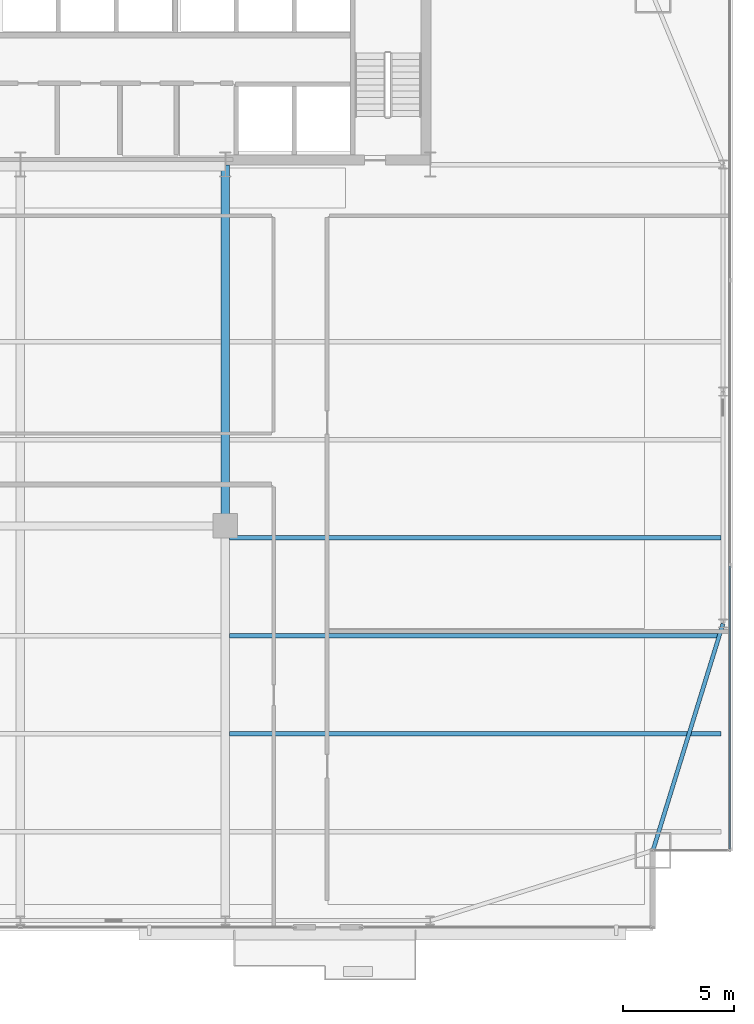
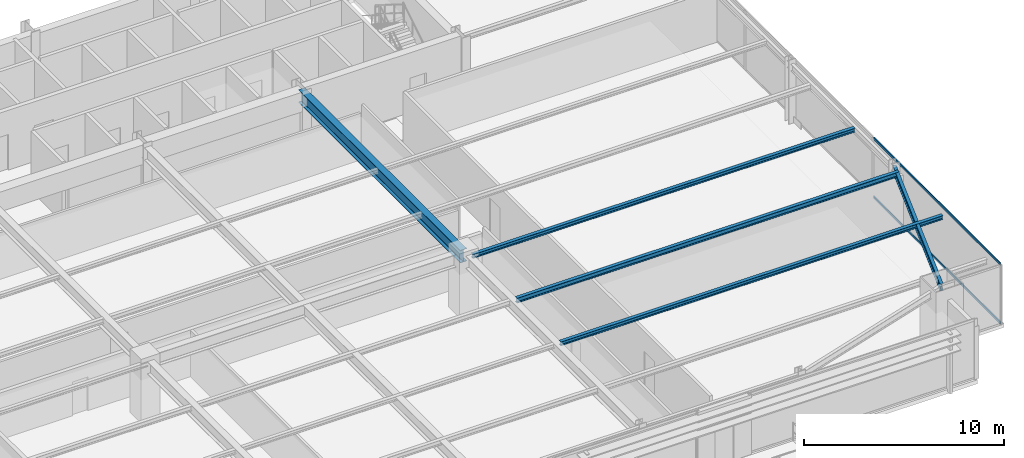
# One storey, part 15 of 31: 5 beams, 2 members, 1 element without a shape of its own.
"""IFC4 building model written with IfcOpenShell, lengths in metres."""

import ifcopenshell
import ifcopenshell.guid

model = None  # the IFC model being written
_history = None  # IfcOwnerHistory: only IFC2X3 demands one
_inside = {}  # id of a spatial element -> (the spatial element, [elements in it])
_under = {}  # id of a project, library or spatial element -> (it, [spatial elements below it])
_declared = {}  # id of a project -> (the project, [libraries it declares])
_typed = {}  # id of a type object -> (the type object, [elements of that type])
_made_of = {}  # id of a material, layer set ... -> (it, [elements and type objects made of it])


def new_model(schema):
    """Start an empty IFC model of exactly this schema.

    Asked for "IFC4X3", IfcOpenShell would pick the latest addendum, in which some entities
    have other attributes; the version numbers below select the first issue.
    IFC2X3 requires an IfcOwnerHistory on every rooted entity: one is made here for all.
    """
    global model, _history
    if schema == "IFC4X3":
        model = ifcopenshell.file(schema_version=(4, 3, 0, 0))
    else:
        model = ifcopenshell.file(schema=schema)
    _inside.clear()
    _under.clear()
    _declared.clear()
    _typed.clear()
    _made_of.clear()
    _history = None
    if model.schema == "IFC2X3":
        org = make("IfcOrganization", Name="unknown")
        user = make(
            "IfcPersonAndOrganization",
            ThePerson=make("IfcPerson", FamilyName="unknown"),
            TheOrganization=org,
        )
        app = make(
            "IfcApplication",
            ApplicationDeveloper=org,
            Version="unknown",
            ApplicationFullName="unknown",
            ApplicationIdentifier="unknown",
        )
        _history = make(
            "IfcOwnerHistory",
            OwningUser=user,
            OwningApplication=app,
            ChangeAction="ADDED",
            CreationDate=0,
        )
    return model


def make(cls, **values):
    """One entity of the class cls with the attributes given. An attribute that is None is left unset."""
    return model.create_entity(
        cls, **{name: value for name, value in values.items() if value is not None}
    )


def rooted(cls, **values):
    """An entity with a GlobalId (a new one), such as an element, a storey or a relation."""
    return make(cls, GlobalId=ifcopenshell.guid.new(), OwnerHistory=_history, **values)


def si_unit(unit_type, name, prefix=None):
    """IfcSIUnit, for example si_unit("LENGTHUNIT", "METRE", prefix="MILLI")."""
    return make("IfcSIUnit", UnitType=unit_type, Prefix=prefix, Name=name)


def assignment(units):
    """IfcUnitAssignment: the units of a project."""
    return None if units is None else make("IfcUnitAssignment", Units=units)


def point(xyz):
    """IfcCartesianPoint."""
    return None if xyz is None else make("IfcCartesianPoint", Coordinates=xyz)


def direction(xyz):
    """IfcDirection."""
    return None if xyz is None else make("IfcDirection", DirectionRatios=xyz)


def frame(location, z_axis=None, x_axis=None):
    """IfcAxis2Placement3D, a coordinate frame: its origin and axes. An axis left out is left unset."""
    return make(
        "IfcAxis2Placement3D",
        Location=point(location),
        Axis=direction(z_axis),
        RefDirection=direction(x_axis),
    )


def frame_2d(location, x_axis=None):
    """IfcAxis2Placement2D, a coordinate frame in the plane: its origin and x axis."""
    return make(
        "IfcAxis2Placement2D", Location=point(location), RefDirection=direction(x_axis)
    )


def origin():
    """The frame at (0, 0, 0) with its axes left unset."""
    return frame((0.0, 0.0, 0.0))


def origin_2d():
    """The frame at (0, 0) in the plane with its x axis left unset."""
    return frame_2d((0.0, 0.0))


def place(relative_to, where):
    """IfcLocalPlacement: puts the frame where relative to a parent placement (None: the world)."""
    return make(
        "IfcLocalPlacement", PlacementRelTo=relative_to, RelativePlacement=where
    )


def context(
    kind, dimensions, precision=None, world=None, true_north=None, identifier=None
):
    """IfcGeometricRepresentationContext, for example the 3D "Model" context."""
    return make(
        "IfcGeometricRepresentationContext",
        ContextIdentifier=identifier,
        ContextType=kind,
        CoordinateSpaceDimension=dimensions,
        Precision=precision,
        WorldCoordinateSystem=world,
        TrueNorth=true_north,
    )


def subcontext(parent, identifier, kind, view, scale=None):
    """IfcGeometricRepresentationSubContext, for example "Body" below "Model"."""
    return make(
        "IfcGeometricRepresentationSubContext",
        ContextIdentifier=identifier,
        ContextType=kind,
        ParentContext=parent,
        TargetScale=scale,
        TargetView=view,
    )


def project(units=None, contexts=None):
    """IfcProject with its units and contexts."""
    return rooted(
        "IfcProject",
        Name="project",
        RepresentationContexts=contexts,
        UnitsInContext=assignment(units),
    )


def spatial(cls, under=None, at=None, **own):
    """A site, building, storey or space (cls), placed at a placement, below another one or the project."""
    s = rooted(cls, ObjectPlacement=at, **own)
    if under is not None:
        _under.setdefault(under.id(), (under, []))[1].append(s)
    return s


def profile(cls, at=None, kind="AREA", **sizes):
    """A parametric profile (cls). Its sizes go by their IFC names, for example OverallWidth=200.0."""
    return make(cls, ProfileType=kind, Position=at, **sizes)


def hollow_rectangle(**sizes):
    """IfcRectangleHollowProfileDef."""
    return profile("IfcRectangleHollowProfileDef", **sizes)


def i_section(**sizes):
    """IfcIShapeProfileDef."""
    return profile("IfcIShapeProfileDef", **sizes)


def extrude(swept, where, along, depth):
    """IfcExtrudedAreaSolid: the profile swept, set in the frame where, extruded along a direction by depth."""
    return make(
        "IfcExtrudedAreaSolid",
        SweptArea=swept,
        Position=where,
        ExtrudedDirection=direction(along),
        Depth=depth,
    )


def shape(context_of_items, identifier, shape_type, items):
    """IfcShapeRepresentation: the items that make up one representation, for example the "Body"."""
    return make(
        "IfcShapeRepresentation",
        ContextOfItems=context_of_items,
        RepresentationIdentifier=identifier,
        RepresentationType=shape_type,
        Items=items,
    )


def source(mapping_origin, context_of_items, identifier, shape_type, items):
    """IfcRepresentationMap: a shape defined once, which mapped items show again and again."""
    return make(
        "IfcRepresentationMap",
        MappingOrigin=mapping_origin,
        MappedRepresentation=shape(context_of_items, identifier, shape_type, items),
    )


def transform(
    local_origin,
    x_axis=None,
    y_axis=None,
    z_axis=None,
    scale=None,
    scale2=None,
    scale3=None,
    uniform=True,
):
    """IfcCartesianTransformationOperator3D, or its non-uniform kind. x_axis, y_axis, z_axis: its Axis1, 2, 3."""
    if uniform:
        return make(
            "IfcCartesianTransformationOperator3D",
            Axis1=direction(x_axis),
            Axis2=direction(y_axis),
            LocalOrigin=point(local_origin),
            Scale=scale,
            Axis3=direction(z_axis),
        )
    return make(
        "IfcCartesianTransformationOperator3DnonUniform",
        Axis1=direction(x_axis),
        Axis2=direction(y_axis),
        LocalOrigin=point(local_origin),
        Scale=scale,
        Axis3=direction(z_axis),
        Scale2=scale2,
        Scale3=scale3,
    )


def mapped(mapping_source, mapping_target):
    """IfcMappedItem: shows the shape of a source again, moved by a transform."""
    return make(
        "IfcMappedItem", MappingSource=mapping_source, MappingTarget=mapping_target
    )


def material(Name=None, Category=None):
    """IfcMaterial."""
    return make("IfcMaterial", Name=Name, Category=Category)


def layer(
    of_material, thickness, ventilated=None, Name=None, Category=None, Priority=None
):
    """IfcMaterialLayer: one layer of a wall or slab, of a material (None: an air gap)."""
    return make(
        "IfcMaterialLayer",
        Material=of_material,
        LayerThickness=thickness,
        IsVentilated=ventilated,
        Name=Name,
        Category=Category,
        Priority=Priority,
    )


def layer_set(layers, Name=None):
    """IfcMaterialLayerSet."""
    return make("IfcMaterialLayerSet", MaterialLayers=layers, LayerSetName=Name)


def material_profile(
    of_material, cross_section, Name=None, Category=None, Priority=None
):
    """IfcMaterialProfile: a cross section and its material."""
    return make(
        "IfcMaterialProfile",
        Name=Name,
        Material=of_material,
        Profile=cross_section,
        Priority=Priority,
        Category=Category,
    )


def profile_set(profiles, Name=None, composite=None):
    """IfcMaterialProfileSet."""
    return make(
        "IfcMaterialProfileSet",
        Name=Name,
        MaterialProfiles=profiles,
        CompositeProfile=composite,
    )


def made_of(thing, what):
    """Note that an element or type object is made of a material, layer set ...; save() writes the relation."""
    if what is not None:
        _made_of.setdefault(what.id(), (what, []))[1].append(thing)
    return thing


def type_object(cls, material=None, **own):
    """A type object (cls), such as IfcWallType, which elements share."""
    return made_of(rooted(cls, **own), material)


def type_shapes(of_type, sources):
    """Give a type object the sources (RepresentationMaps) that its elements show as mapped items."""
    of_type.RepresentationMaps = sources


def element(
    cls,
    number,
    at=None,
    inside=None,
    cuts=None,
    type_object=None,
    material=None,
    context=None,
    identifier="Body",
    shape_type=None,
    held_by="IfcProductDefinitionShape",
    body=None,
    shapes=None,
    **own,
):
    """One element of the class cls, such as IfcWall. Its Tag is "e" and its number.

    at: its placement. inside: the storey or other place that contains it. cuts: it is an
    opening in that element (IfcRelVoidsElement). A single representation is given by context,
    identifier, shape_type and body (its items); several are given by shapes. held_by: the class
    of the entity that holds the representations. save() writes the other relations.
    """
    e = rooted(cls, Tag="e%d" % number, ObjectPlacement=at, **own)
    if body is not None:
        shapes = [shape(context, identifier, shape_type, body)]
    if shapes is not None:
        e.Representation = make(held_by, Representations=shapes)
    if inside is not None:
        _inside.setdefault(inside.id(), (inside, []))[1].append(e)
    if cuts is not None:
        rooted(
            "IfcRelVoidsElement", RelatingBuildingElement=cuts, RelatedOpeningElement=e
        )
    if type_object is not None:
        _typed.setdefault(type_object.id(), (type_object, []))[1].append(e)
    return made_of(e, material)


def aggregate(whole, parts):
    """IfcRelAggregates: a whole, such as a stair, and the parts it consists of."""
    return rooted("IfcRelAggregates", RelatingObject=whole, RelatedObjects=parts)


def save(model, path):
    """Write the relations noted so far, then the file.

    IfcRelAggregates (storeys below a building ...), IfcRelContainedInSpatialStructure (elements
    in a storey), IfcRelDefinesByType, IfcRelAssociatesMaterial and IfcRelDeclares: one each for
    every whole, place, type object, material and project.
    """
    for whole, parts in _under.values():
        aggregate(whole, parts)
    for where, things in _inside.values():
        rooted(
            "IfcRelContainedInSpatialStructure",
            RelatedElements=things,
            RelatingStructure=where,
        )
    for kind, things in _typed.values():
        rooted("IfcRelDefinesByType", RelatedObjects=things, RelatingType=kind)
    for what, things in _made_of.values():
        rooted("IfcRelAssociatesMaterial", RelatedObjects=things, RelatingMaterial=what)
    for by, libraries in _declared.values():
        rooted("IfcRelDeclares", RelatingContext=by, RelatedDefinitions=libraries)
    model.write(path)


model = new_model("IFC4")

# Units and contexts
model_context = context("Model", 3, precision=1e-05, world=origin(), true_north=direction((0.0, 1.0)))
body_context = subcontext(model_context, "Body", "Model", "MODEL_VIEW")
ifc_project = project(units=[si_unit("LENGTHUNIT", "METRE"), si_unit("AREAUNIT", "SQUARE_METRE"), si_unit("VOLUMEUNIT", "CUBIC_METRE"), si_unit("PLANEANGLEUNIT", "RADIAN"), si_unit("MASSUNIT", "GRAM", prefix="KILO")], contexts=[model_context])

# Site, building, storey
site_placement = place(None, origin())
site = spatial("IfcSite", under=ifc_project, at=site_placement, CompositionType="ELEMENT")
building_placement = place(site_placement, origin())
building = spatial("IfcBuilding", under=site, at=building_placement, Name="Varnel Quay Broadcast Tower", CompositionType="ELEMENT")
storey_placement = place(building_placement, frame((0.0, 0.0, 51.0)))
storey = spatial("IfcBuildingStorey", under=building, at=storey_placement, Name="L11", CompositionType="ELEMENT", Elevation=51.0)

# Beams
ifc_material_1 = material(Name="Structural Steel CSA G40.21 350W", Category="steel")
ifc_material_profile_1 = material_profile(ifc_material_1, i_section(OverallWidth=0.180908203125, OverallDepth=0.4169921875, WebThickness=0.010986328125, FlangeThickness=0.018310546875, FilletRadius=0.011962890625, at=origin_2d()), Name="W410X85")
ifc_profile_set_1 = profile_set([ifc_material_profile_1], Name="Structural Steel CSA G40.21 350W")
beam_type_1 = type_object("IfcBeamType", Name="Beam_W410X85", PredefinedType="SPANDREL", material=ifc_profile_set_1)
shared_shape_1 = source(origin(), body_context, "Body", "SweptSolid", [
    extrude(i_section(OverallWidth=0.180908203125, OverallDepth=0.4169921875, WebThickness=0.010986328125, FlangeThickness=0.018310546875, FilletRadius=0.011962890625, at=origin_2d()), origin(), (0.0, 0.0, 1.0), 10.635498046875),
])
type_shapes(beam_type_1, [shared_shape_1])
beam_1_placement = place(storey_placement, frame((62.406005859375, 4.819091796875, 3.44140625), z_axis=(0.295069676324, 0.955475738108, 0.0), x_axis=(-0.955475738108, 0.295069676324, 0.0)))
element("IfcBeam", 1, at=beam_1_placement, inside=storey, type_object=beam_type_1, Name="L11 East Spandrel MC-SE-TC-E1", PredefinedType="SPANDREL", context=body_context, shape_type="MappedRepresentation", body=[
    mapped(shared_shape_1, transform((0.0, 0.0, 0.0), x_axis=(1.0, 0.0, 0.0), y_axis=(0.0, 1.0, 0.0), z_axis=(0.0, 0.0, 1.0), scale=1.0)),
])
ifc_material_profile_2 = material_profile(ifc_material_1, i_section(OverallWidth=0.381103515625, OverallDepth=0.77294921875, WebThickness=0.0166015625, FlangeThickness=0.027587890625, FilletRadius=0.01806640625, at=origin_2d()), Name="W760X257")
ifc_profile_set_2 = profile_set([ifc_material_profile_2], Name="Structural Steel CSA G40.21 350W")
beam_type_2 = type_object("IfcBeamType", Name="Girder_W760X257", PredefinedType="BEAM", material=ifc_profile_set_2)
shared_shape_2 = source(origin(), body_context, "Body", "SweptSolid", [
    extrude(i_section(OverallWidth=0.381103515625, OverallDepth=0.77294921875, WebThickness=0.0166015625, FlangeThickness=0.027587890625, FilletRadius=0.01806640625, at=origin_2d()), origin(), (0.0, 0.0, 1.0), 16.190185546875),
])
type_shapes(beam_type_2, [shared_shape_2])
beam_2_placement = place(storey_placement, frame((43.199951171875, 19.389892578125, 3.263427734375), z_axis=(0.0, 1.0, 0.0), x_axis=(-1.0, 0.0, 0.0)))
element("IfcBeam", 2, at=beam_2_placement, inside=storey, type_object=beam_type_2, Name="L11 Primary Girder IC-02-CC-S4", PredefinedType="BEAM", context=body_context, shape_type="MappedRepresentation", body=[
    mapped(shared_shape_2, transform((0.0, 0.0, 0.0), x_axis=(1.0, 0.0, 0.0), y_axis=(0.0, 1.0, 0.0), z_axis=(0.0, 0.0, 1.0), scale=1.0)),
])
ifc_material_profile_3 = material_profile(ifc_material_1, i_section(OverallWidth=0.202880859375, OverallDepth=0.302978515625, WebThickness=0.007568359375, FlangeThickness=0.01318359375, FilletRadius=0.011962890625, at=origin_2d()), Name="W310X60")
ifc_profile_set_3 = profile_set([ifc_material_profile_3], Name="Structural Steel CSA G40.21 350W")
beam_type_3 = type_object("IfcBeamType", Name="Beam_W310X60", PredefinedType="JOIST", material=ifc_profile_set_3)
shared_shape_3 = source(origin(), body_context, "Body", "SweptSolid", [
    extrude(i_section(OverallWidth=0.202880859375, OverallDepth=0.302978515625, WebThickness=0.007568359375, FlangeThickness=0.01318359375, FilletRadius=0.011962890625, at=origin_2d()), origin(), (0.0, 0.0, 1.0), 22.0791015625),
])
type_shapes(beam_type_3, [shared_shape_3])
beam_3_placement = place(storey_placement, frame((43.385498046875, 14.449951171875, 3.49853515625), z_axis=(1.0, 0.0, 0.0), x_axis=(0.0, 1.0, 0.0)))
element("IfcBeam", 3, at=beam_3_placement, inside=storey, type_object=beam_type_3, Name="L11 East Floor Joist 3", PredefinedType="JOIST", context=body_context, shape_type="MappedRepresentation", body=[
    mapped(shared_shape_3, transform((0.0, 0.0, 0.0), x_axis=(1.0, 0.0, 0.0), y_axis=(0.0, 1.0, 0.0), z_axis=(0.0, 0.0, 1.0), scale=1.0)),
])
ifc_material_profile_4 = material_profile(ifc_material_1, i_section(OverallWidth=0.201904296875, OverallDepth=0.2470703125, WebThickness=0.00732421875, FlangeThickness=0.010986328125, FilletRadius=0.010986328125, at=origin_2d()), Name="W250X49")
ifc_profile_set_4 = profile_set([ifc_material_profile_4], Name="Structural Steel CSA G40.21 350W")
beam_type_4 = type_object("IfcBeamType", Name="Beam_W250X49", PredefinedType="JOIST", material=ifc_profile_set_4)
shared_shape_4 = source(origin(), body_context, "Body", "SweptSolid", [
    extrude(i_section(OverallWidth=0.201904296875, OverallDepth=0.2470703125, WebThickness=0.00732421875, FlangeThickness=0.010986328125, FilletRadius=0.010986328125, at=origin_2d()), origin(), (0.0, 0.0, 1.0), 22.0791015625),
])
type_shapes(beam_type_4, [shared_shape_4])
for number, where, z_axis, x_axis, name in (
    (4, (43.385498046875, 10.050048828125, 3.526611328125), (1.0, 0.0, 0.0), (0.0, 1.0, 0.0), "L11 East Floor Joist 2"),
    (5, (43.385498046875, 18.85009765625, 3.526611328125), (1.0, 0.0, 0.0), (0.0, 1.0, 0.0), "L11 East Floor Joist 4"),
):
    element("IfcBeam", number, at=place(storey_placement, frame(where, z_axis=z_axis, x_axis=x_axis)), inside=storey, type_object=beam_type_4, Name=name, PredefinedType="JOIST", context=body_context, shape_type="MappedRepresentation", body=[
        mapped(shared_shape_4, transform((0.0, 0.0, 0.0), x_axis=(1.0, 0.0, 0.0), y_axis=(0.0, 1.0, 0.0), z_axis=(0.0, 0.0, 1.0), scale=1.0)),
    ])

# Curtain wall, members
ifc_material_2 = material(Name="Anodised Bronze Aluminium 6063-T6", Category="aluminium")
ifc_layer = layer(ifc_material_2, 0.18994140625, Name="Anodised Bronze Aluminium 6063-T6")
ifc_layer_set = layer_set([ifc_layer], Name="Anodised Bronze Aluminium 6063-T6")
curtain_wall_type = type_object("IfcCurtainWallType", Name="CW_LowerTower", PredefinedType="NOTDEFINED", material=ifc_layer_set)
curtain_wall_placement = place(storey_placement, origin())
curtain_wall = element("IfcCurtainWall", 6, at=curtain_wall_placement, inside=storey, type_object=curtain_wall_type, Name="L11 East Unitised Curtain Wall", PredefinedType="NOTDEFINED")
ifc_material_profile_5 = material_profile(ifc_material_2, hollow_rectangle(XDim=0.06005859375, YDim=0.14501953125, WallThickness=0.00341796875, at=origin_2d()), Name="ALU60X145X3.5")
ifc_profile_set_5 = profile_set([ifc_material_profile_5], Name="Anodised Bronze Aluminium 6063-T6")
member_type = type_object("IfcMemberType", Name="Tran_CWS-02", PredefinedType="USERDEFINED", material=ifc_profile_set_5)
shared_shape_5 = source(origin(), body_context, "Body", "SweptSolid", [
    extrude(hollow_rectangle(XDim=0.06005859375, YDim=0.14501953125, WallThickness=0.00341796875, at=origin_2d()), origin(), (0.0, 0.0, 1.0), 12.69482421875),
])
type_shapes(member_type, [shared_shape_5])
member_1_placement = place(storey_placement, frame((65.85009765625, 4.8701171875, 0.030029296875), z_axis=(0.0, 1.0, 0.0), x_axis=(-1.0, 0.0, 0.0)))
member_1 = element("IfcMember", 7, at=member_1_placement, type_object=member_type, Name="CWS-02 transom 1.1", ObjectType="TRANSOM", PredefinedType="USERDEFINED", context=body_context, shape_type="MappedRepresentation", body=[
    mapped(shared_shape_5, transform((0.0, 0.0, 0.0), x_axis=(1.0, 0.0, 0.0), y_axis=(0.0, 1.0, 0.0), z_axis=(0.0, 0.0, 1.0), scale=1.0)),
])
member_2_placement = place(storey_placement, frame((65.85009765625, 4.8701171875, 3.6201171875), z_axis=(0.0, 1.0, 0.0), x_axis=(-1.0, 0.0, 0.0)))
member_2 = element("IfcMember", 8, at=member_2_placement, type_object=member_type, Name="CWS-02 transom 1.2", ObjectType="TRANSOM", PredefinedType="USERDEFINED", context=body_context, shape_type="MappedRepresentation", body=[
    mapped(shared_shape_5, transform((0.0, 0.0, 0.0), x_axis=(1.0, 0.0, 0.0), y_axis=(0.0, 1.0, 0.0), z_axis=(0.0, 0.0, 1.0), scale=1.0)),
])
aggregate(curtain_wall, [member_1, member_2])

save(model, "model.ifc")
